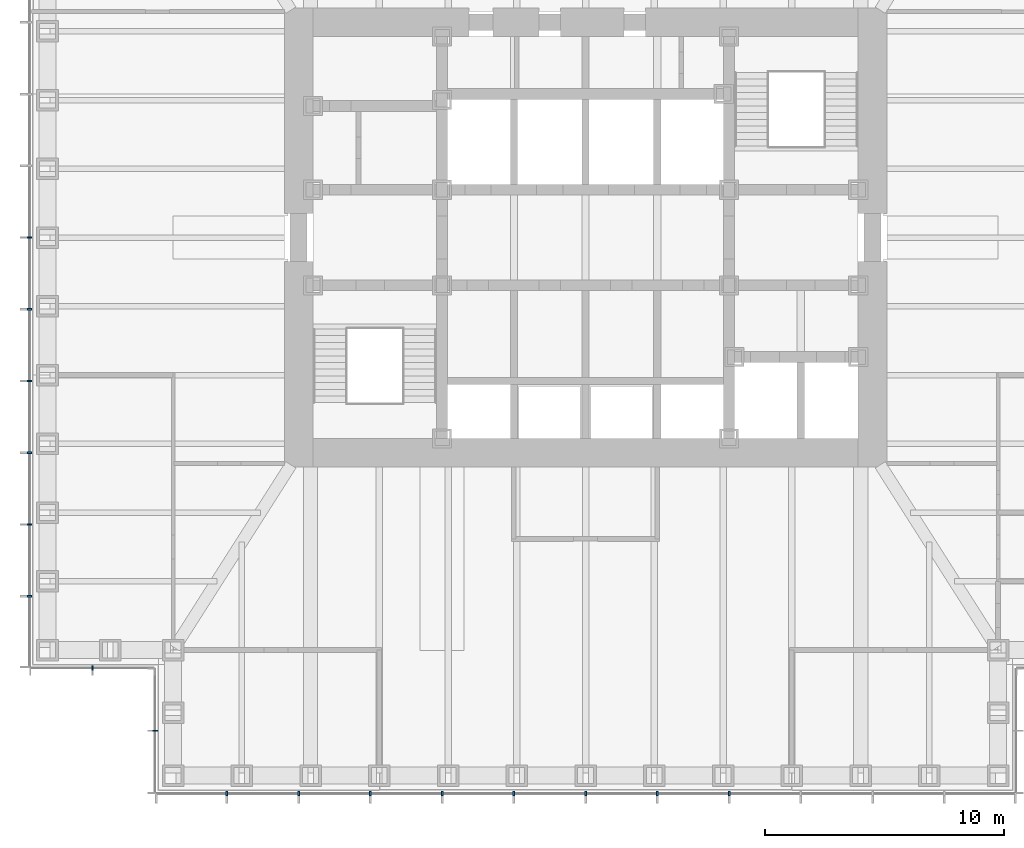
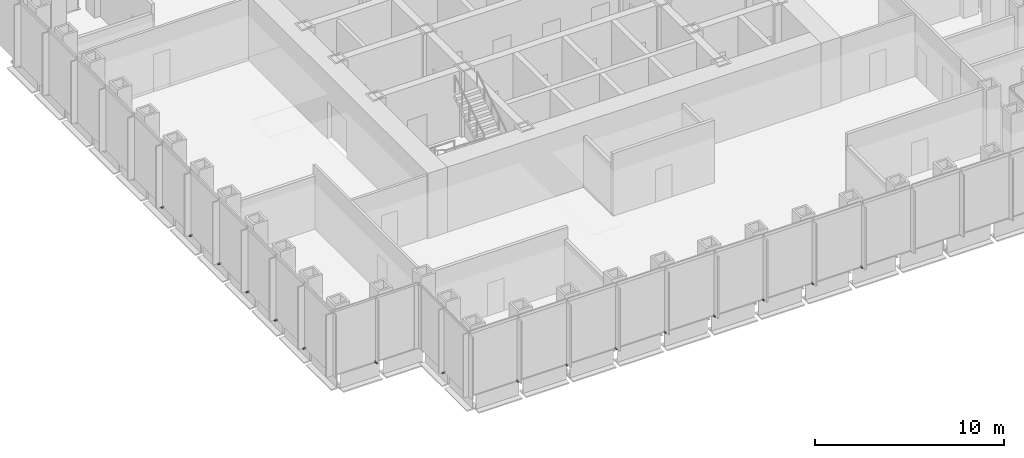
# One storey, part 11 of 16: 16 discrete accessories.
"""IFC4 building model written with IfcOpenShell, lengths in metres."""

from ifc_helpers import new_model, si_unit, direction, frame, origin, origin_2d, place, context, subcontext, project, spatial, rectangle, extrude, element, save


model = new_model("IFC4")

# Units and contexts
model_context = context("Model", 3, precision=1e-05, world=origin(), true_north=direction((0.0, 1.0)))
body_context = subcontext(model_context, "Body", "Model", "MODEL_VIEW")
ifc_project = project(units=[si_unit("LENGTHUNIT", "METRE"), si_unit("AREAUNIT", "SQUARE_METRE"), si_unit("VOLUMEUNIT", "CUBIC_METRE"), si_unit("PLANEANGLEUNIT", "RADIAN"), si_unit("MASSUNIT", "GRAM", prefix="KILO")], contexts=[model_context])

# Site, building, storey
site_placement = place(None, origin())
site = spatial("IfcSite", under=ifc_project, at=site_placement, CompositionType="ELEMENT")
building_placement = place(site_placement, origin())
building = spatial("IfcBuilding", under=site, at=building_placement, Name="Daluyong Arena Tower", CompositionType="ELEMENT")
storey_placement = place(building_placement, frame((0.0, 0.0, 141.699951171875)))
storey = spatial("IfcBuildingStorey", under=building, at=storey_placement, Name="L31", CompositionType="ELEMENT", Elevation=141.699951171875)

# Discrete accessories
for number, where, z_axis, x_axis, name in (
    (1, (41.0, 56.75, -0.10009765625), (0.0, 0.0, 1.0), (1.0, 0.0, 0.0), "curtain wall L31 S anchor bracket 2"),
    (2, (44.0, 56.75, -0.10009765625), (0.0, 0.0, 1.0), (1.0, 0.0, 0.0), "curtain wall L31 S anchor bracket 3"),
    (3, (47.0, 56.75, -0.10009765625), (0.0, 0.0, 1.0), (1.0, 0.0, 0.0), "curtain wall L31 S anchor bracket 4"),
    (4, (50.0, 56.75, -0.10009765625), (0.0, 0.0, 1.0), (1.0, 0.0, 0.0), "curtain wall L31 S anchor bracket 5"),
    (5, (53.0, 56.75, -0.10009765625), (0.0, 0.0, 1.0), (1.0, 0.0, 0.0), "curtain wall L31 S anchor bracket 6"),
    (6, (56.0, 56.75, -0.10009765625), (0.0, 0.0, 1.0), (1.0, 0.0, 0.0), "curtain wall L31 S anchor bracket 7"),
    (7, (59.0, 56.75, -0.10009765625), (0.0, 0.0, 1.0), (1.0, 0.0, 0.0), "curtain wall L31 S anchor bracket 8"),
    (8, (62.0, 56.75, -0.10009765625), (0.0, 0.0, 1.0), (1.0, 0.0, 0.0), "curtain wall L31 S anchor bracket 9"),
    (9, (32.75, 80.0, -0.10009765625), (0.0, 0.0, 1.0), (0.0, -1.0, 0.0), "curtain wall L31 W anchor bracket 7"),
    (10, (32.75, 77.0, -0.10009765625), (0.0, 0.0, 1.0), (0.0, -1.0, 0.0), "curtain wall L31 W anchor bracket 8"),
    (11, (32.75, 74.0, -0.10009765625), (0.0, 0.0, 1.0), (0.0, -1.0, 0.0), "curtain wall L31 W anchor bracket 9"),
    (12, (32.75, 71.0, -0.10009765625), (0.0, 0.0, 1.0), (0.0, -1.0, 0.0), "curtain wall L31 W anchor bracket 10"),
    (13, (32.75, 68.0, -0.10009765625), (0.0, 0.0, 1.0), (0.0, -1.0, 0.0), "curtain wall L31 W anchor bracket 11"),
    (14, (32.75, 65.0, -0.10009765625), (0.0, 0.0, 1.0), (0.0, -1.0, 0.0), "curtain wall L31 W anchor bracket 12"),
):
    element("IfcDiscreteAccessory", number, at=place(storey_placement, frame(where, z_axis=z_axis, x_axis=x_axis)), inside=storey, Name=name, PredefinedType="BRACKET", context=body_context, shape_type="SweptSolid", body=[
        extrude(rectangle(XDim=0.080078125, YDim=0.199951171875, at=origin_2d()), origin(), (0.0, 0.0, 1.0), 0.10009765625),
    ])
for number, where, z_axis, x_axis, name in (
    (15, (35.375, 62.0, -0.10009765625), (0.0, 0.0, 1.0), (1.0, 0.0, 0.0), "curtain wall L31 SW-S anchor bracket 2"),
    (16, (38.0, 59.375, -0.10009765625), (0.0, 0.0, 1.0), (0.0, -1.0, 0.0), "curtain wall L31 SW-W anchor bracket 2"),
):
    element("IfcDiscreteAccessory", number, at=place(storey_placement, frame(where, z_axis=z_axis, x_axis=x_axis)), inside=storey, Name=name, PredefinedType="BRACKET", context=body_context, shape_type="SweptSolid", body=[
        extrude(rectangle(XDim=0.06005859375, YDim=0.199951171875, at=origin_2d()), origin(), (0.0, 0.0, 1.0), 0.10009765625),
    ])

save(model, "model.ifc")
